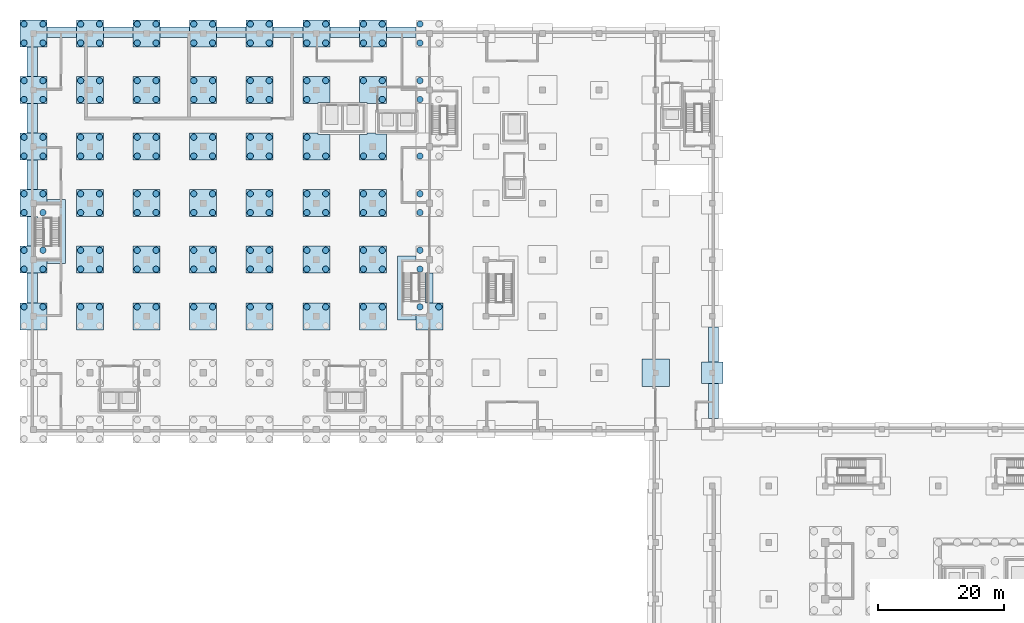
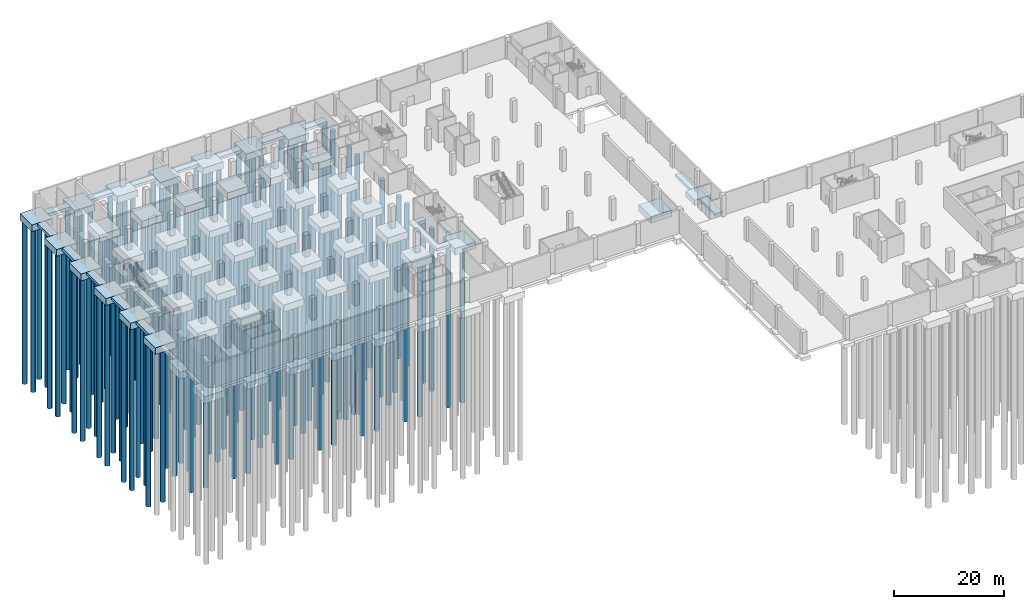
# One storey, part 2 of 17: 160 piles, 62 footings.
"""IFC4 building model written with IfcOpenShell, lengths in metres."""

from ifc_helpers import new_model, si_unit, direction, frame, origin, origin_2d, place, context, subcontext, project, spatial, polyline, rectangle, circle, outline, extrude, material, material_profile, profile_set, type_object, element, save


model = new_model("IFC4")

# Units and contexts
model_context = context("Model", 3, precision=1e-05, world=origin(), true_north=direction((0.0, 1.0)))
body_context = subcontext(model_context, "Body", "Model", "MODEL_VIEW")
ifc_project = project(units=[si_unit("LENGTHUNIT", "METRE"), si_unit("AREAUNIT", "SQUARE_METRE"), si_unit("VOLUMEUNIT", "CUBIC_METRE"), si_unit("PLANEANGLEUNIT", "RADIAN"), si_unit("MASSUNIT", "GRAM", prefix="KILO")], contexts=[model_context])

# Site, building, storey
site_placement = place(None, origin())
site = spatial("IfcSite", under=ifc_project, at=site_placement, CompositionType="ELEMENT")
building_placement = place(site_placement, origin())
building = spatial("IfcBuilding", under=site, at=building_placement, Name="Guidao Yard Department Store", CompositionType="ELEMENT")
storey_placement = place(building_placement, frame((0.0, 0.0, -9.89990234375)))
storey = spatial("IfcBuildingStorey", under=building, at=storey_placement, Name="B2", CompositionType="ELEMENT", Elevation=-9.89990234375)

# Piles
ifc_material_1 = material(Name="Concrete C40", Category="concrete")
ifc_material_profile = material_profile(ifc_material_1, circle(Radius=0.5, at=origin_2d()), Name="Bored pile D1000")
ifc_profile_set = profile_set([ifc_material_profile], Name="Concrete C40")
pile_type = type_object("IfcPileType", Name="Bored pile D1000", PredefinedType="BORED", material=ifc_profile_set)
for number, where, z_axis, x_axis, name in (
    (1, (-1.5, 64.5, -2.0), (0.0, 0.0, -1.0), (1.0, 0.0, 0.0), "Bored pile 1/H-3"),
    (2, (1.5, 64.5, -2.0), (0.0, 0.0, -1.0), (1.0, 0.0, 0.0), "Bored pile 1/H-4"),
    (3, (7.5, 64.5, -2.0), (0.0, 0.0, -1.0), (1.0, 0.0, 0.0), "Bored pile 2/H-3"),
    (4, (10.5, 64.5, -2.0), (0.0, 0.0, -1.0), (1.0, 0.0, 0.0), "Bored pile 2/H-4"),
    (5, (16.5, 64.5, -2.0), (0.0, 0.0, -1.0), (1.0, 0.0, 0.0), "Bored pile 3/H-3"),
    (6, (19.5, 64.5, -2.0), (0.0, 0.0, -1.0), (1.0, 0.0, 0.0), "Bored pile 3/H-4"),
    (7, (25.5, 64.5, -2.0), (0.0, 0.0, -1.0), (1.0, 0.0, 0.0), "Bored pile 4/H-3"),
    (8, (28.5, 64.5, -2.0), (0.0, 0.0, -1.0), (1.0, 0.0, 0.0), "Bored pile 4/H-4"),
    (9, (34.5, 64.5, -2.0), (0.0, 0.0, -1.0), (1.0, 0.0, 0.0), "Bored pile 5/H-3"),
    (10, (37.5, 64.5, -2.0), (0.0, 0.0, -1.0), (1.0, 0.0, 0.0), "Bored pile 5/H-4"),
    (11, (43.5, 64.5, -2.0), (0.0, 0.0, -1.0), (1.0, 0.0, 0.0), "Bored pile 6/H-3"),
    (12, (46.5, 64.5, -2.0), (0.0, 0.0, -1.0), (1.0, 0.0, 0.0), "Bored pile 6/H-4"),
    (13, (52.5, 64.5, -2.0), (0.0, 0.0, -1.0), (1.0, 0.0, 0.0), "Bored pile 7/H-3"),
    (14, (55.5, 64.5, -2.0), (0.0, 0.0, -1.0), (1.0, 0.0, 0.0), "Bored pile 7/H-4"),
    (15, (61.5, 64.5, -2.0), (0.0, 0.0, -1.0), (1.0, 0.0, 0.0), "Bored pile 8/H-3"),
    (16, (64.5, 64.5, -2.0), (0.0, 0.0, -1.0), (1.0, 0.0, 0.0), "Bored pile 8/H-4"),
    (17, (-1.5, 70.5, -2.0), (0.0, 0.0, -1.0), (1.0, 0.0, 0.0), "Bored pile 1/J-1"),
    (18, (1.5, 70.5, -2.0), (0.0, 0.0, -1.0), (1.0, 0.0, 0.0), "Bored pile 1/J-2"),
    (19, (-1.5, 73.5, -2.0), (0.0, 0.0, -1.0), (1.0, 0.0, 0.0), "Bored pile 1/J-3"),
    (20, (1.5, 73.5, -2.0), (0.0, 0.0, -1.0), (1.0, 0.0, 0.0), "Bored pile 1/J-4"),
    (21, (7.5, 70.5, -2.0), (0.0, 0.0, -1.0), (1.0, 0.0, 0.0), "Bored pile 2/J-1"),
    (22, (10.5, 70.5, -2.0), (0.0, 0.0, -1.0), (1.0, 0.0, 0.0), "Bored pile 2/J-2"),
    (23, (7.5, 73.5, -2.0), (0.0, 0.0, -1.0), (1.0, 0.0, 0.0), "Bored pile 2/J-3"),
    (24, (10.5, 73.5, -2.0), (0.0, 0.0, -1.0), (1.0, 0.0, 0.0), "Bored pile 2/J-4"),
    (25, (16.5, 70.5, -2.0), (0.0, 0.0, -1.0), (1.0, 0.0, 0.0), "Bored pile 3/J-1"),
    (26, (19.5, 70.5, -2.0), (0.0, 0.0, -1.0), (1.0, 0.0, 0.0), "Bored pile 3/J-2"),
    (27, (16.5, 73.5, -2.0), (0.0, 0.0, -1.0), (1.0, 0.0, 0.0), "Bored pile 3/J-3"),
    (28, (19.5, 73.5, -2.0), (0.0, 0.0, -1.0), (1.0, 0.0, 0.0), "Bored pile 3/J-4"),
    (29, (25.5, 70.5, -2.0), (0.0, 0.0, -1.0), (1.0, 0.0, 0.0), "Bored pile 4/J-1"),
    (30, (28.5, 70.5, -2.0), (0.0, 0.0, -1.0), (1.0, 0.0, 0.0), "Bored pile 4/J-2"),
    (31, (25.5, 73.5, -2.0), (0.0, 0.0, -1.0), (1.0, 0.0, 0.0), "Bored pile 4/J-3"),
    (32, (28.5, 73.5, -2.0), (0.0, 0.0, -1.0), (1.0, 0.0, 0.0), "Bored pile 4/J-4"),
    (33, (34.5, 70.5, -2.0), (0.0, 0.0, -1.0), (1.0, 0.0, 0.0), "Bored pile 5/J-1"),
    (34, (37.5, 70.5, -2.0), (0.0, 0.0, -1.0), (1.0, 0.0, 0.0), "Bored pile 5/J-2"),
    (35, (34.5, 73.5, -2.0), (0.0, 0.0, -1.0), (1.0, 0.0, 0.0), "Bored pile 5/J-3"),
    (36, (37.5, 73.5, -2.0), (0.0, 0.0, -1.0), (1.0, 0.0, 0.0), "Bored pile 5/J-4"),
    (37, (43.5, 70.5, -2.0), (0.0, 0.0, -1.0), (1.0, 0.0, 0.0), "Bored pile 6/J-1"),
    (38, (46.5, 70.5, -2.0), (0.0, 0.0, -1.0), (1.0, 0.0, 0.0), "Bored pile 6/J-2"),
    (39, (43.5, 73.5, -2.0), (0.0, 0.0, -1.0), (1.0, 0.0, 0.0), "Bored pile 6/J-3"),
    (40, (46.5, 73.5, -2.0), (0.0, 0.0, -1.0), (1.0, 0.0, 0.0), "Bored pile 6/J-4"),
    (41, (52.5, 70.5, -2.0), (0.0, 0.0, -1.0), (1.0, 0.0, 0.0), "Bored pile 7/J-1"),
    (42, (55.5, 70.5, -2.0), (0.0, 0.0, -1.0), (1.0, 0.0, 0.0), "Bored pile 7/J-2"),
    (43, (52.5, 73.5, -2.0), (0.0, 0.0, -1.0), (1.0, 0.0, 0.0), "Bored pile 7/J-3"),
    (44, (55.5, 73.5, -2.0), (0.0, 0.0, -1.0), (1.0, 0.0, 0.0), "Bored pile 7/J-4"),
    (45, (61.5, 70.5, -2.0), (0.0, 0.0, -1.0), (1.0, 0.0, 0.0), "Bored pile 8/J-1"),
    (46, (61.5, 73.5, -2.0), (0.0, 0.0, -1.0), (1.0, 0.0, 0.0), "Bored pile 8/J-3"),
    (47, (-1.5, 79.5, -2.0), (0.0, 0.0, -1.0), (1.0, 0.0, 0.0), "Bored pile 1/K-1"),
    (48, (1.5, 79.5, -2.0), (0.0, 0.0, -1.0), (1.0, 0.0, 0.0), "Bored pile 1/K-2"),
    (49, (-1.5, 82.5, -2.0), (0.0, 0.0, -1.0), (1.0, 0.0, 0.0), "Bored pile 1/K-3"),
    (50, (1.5, 82.5, -2.0), (0.0, 0.0, -1.0), (1.0, 0.0, 0.0), "Bored pile 1/K-4"),
    (51, (7.5, 79.5, -2.0), (0.0, 0.0, -1.0), (1.0, 0.0, 0.0), "Bored pile 2/K-1"),
    (52, (10.5, 79.5, -2.0), (0.0, 0.0, -1.0), (1.0, 0.0, 0.0), "Bored pile 2/K-2"),
    (53, (7.5, 82.5, -2.0), (0.0, 0.0, -1.0), (1.0, 0.0, 0.0), "Bored pile 2/K-3"),
    (54, (10.5, 82.5, -2.0), (0.0, 0.0, -1.0), (1.0, 0.0, 0.0), "Bored pile 2/K-4"),
    (55, (16.5, 79.5, -2.0), (0.0, 0.0, -1.0), (1.0, 0.0, 0.0), "Bored pile 3/K-1"),
    (56, (19.5, 79.5, -2.0), (0.0, 0.0, -1.0), (1.0, 0.0, 0.0), "Bored pile 3/K-2"),
    (57, (16.5, 82.5, -2.0), (0.0, 0.0, -1.0), (1.0, 0.0, 0.0), "Bored pile 3/K-3"),
    (58, (19.5, 82.5, -2.0), (0.0, 0.0, -1.0), (1.0, 0.0, 0.0), "Bored pile 3/K-4"),
    (59, (25.5, 79.5, -2.0), (0.0, 0.0, -1.0), (1.0, 0.0, 0.0), "Bored pile 4/K-1"),
    (60, (28.5, 79.5, -2.0), (0.0, 0.0, -1.0), (1.0, 0.0, 0.0), "Bored pile 4/K-2"),
    (61, (25.5, 82.5, -2.0), (0.0, 0.0, -1.0), (1.0, 0.0, 0.0), "Bored pile 4/K-3"),
    (62, (28.5, 82.5, -2.0), (0.0, 0.0, -1.0), (1.0, 0.0, 0.0), "Bored pile 4/K-4"),
    (63, (34.5, 79.5, -2.0), (0.0, 0.0, -1.0), (1.0, 0.0, 0.0), "Bored pile 5/K-1"),
    (64, (37.5, 79.5, -2.0), (0.0, 0.0, -1.0), (1.0, 0.0, 0.0), "Bored pile 5/K-2"),
    (65, (34.5, 82.5, -2.0), (0.0, 0.0, -1.0), (1.0, 0.0, 0.0), "Bored pile 5/K-3"),
    (66, (37.5, 82.5, -2.0), (0.0, 0.0, -1.0), (1.0, 0.0, 0.0), "Bored pile 5/K-4"),
    (67, (43.5, 79.5, -2.0), (0.0, 0.0, -1.0), (1.0, 0.0, 0.0), "Bored pile 6/K-1"),
    (68, (46.5, 79.5, -2.0), (0.0, 0.0, -1.0), (1.0, 0.0, 0.0), "Bored pile 6/K-2"),
    (69, (43.5, 82.5, -2.0), (0.0, 0.0, -1.0), (1.0, 0.0, 0.0), "Bored pile 6/K-3"),
    (70, (46.5, 82.5, -2.0), (0.0, 0.0, -1.0), (1.0, 0.0, 0.0), "Bored pile 6/K-4"),
    (71, (52.5, 79.5, -2.0), (0.0, 0.0, -1.0), (1.0, 0.0, 0.0), "Bored pile 7/K-1"),
    (72, (55.5, 79.5, -2.0), (0.0, 0.0, -1.0), (1.0, 0.0, 0.0), "Bored pile 7/K-2"),
    (73, (52.5, 82.5, -2.0), (0.0, 0.0, -1.0), (1.0, 0.0, 0.0), "Bored pile 7/K-3"),
    (74, (55.5, 82.5, -2.0), (0.0, 0.0, -1.0), (1.0, 0.0, 0.0), "Bored pile 7/K-4"),
    (75, (61.5, 79.5, -2.0), (0.0, 0.0, -1.0), (1.0, 0.0, 0.0), "Bored pile 8/K-1"),
    (76, (61.5, 82.5, -2.0), (0.0, 0.0, -1.0), (1.0, 0.0, 0.0), "Bored pile 8/K-3"),
    (77, (-1.5, 88.5, -2.0), (0.0, 0.0, -1.0), (1.0, 0.0, 0.0), "Bored pile 1/L-1"),
    (78, (1.5, 88.5, -2.0), (0.0, 0.0, -1.0), (1.0, 0.0, 0.0), "Bored pile 1/L-2"),
    (79, (-1.5, 91.5, -2.0), (0.0, 0.0, -1.0), (1.0, 0.0, 0.0), "Bored pile 1/L-3"),
    (80, (1.5, 91.5, -2.0), (0.0, 0.0, -1.0), (1.0, 0.0, 0.0), "Bored pile 1/L-4"),
    (81, (7.5, 88.5, -2.0), (0.0, 0.0, -1.0), (1.0, 0.0, 0.0), "Bored pile 2/L-1"),
    (82, (10.5, 88.5, -2.0), (0.0, 0.0, -1.0), (1.0, 0.0, 0.0), "Bored pile 2/L-2"),
    (83, (7.5, 91.5, -2.0), (0.0, 0.0, -1.0), (1.0, 0.0, 0.0), "Bored pile 2/L-3"),
    (84, (10.5, 91.5, -2.0), (0.0, 0.0, -1.0), (1.0, 0.0, 0.0), "Bored pile 2/L-4"),
    (85, (16.5, 88.5, -2.0), (0.0, 0.0, -1.0), (1.0, 0.0, 0.0), "Bored pile 3/L-1"),
    (86, (19.5, 88.5, -2.0), (0.0, 0.0, -1.0), (1.0, 0.0, 0.0), "Bored pile 3/L-2"),
    (87, (16.5, 91.5, -2.0), (0.0, 0.0, -1.0), (1.0, 0.0, 0.0), "Bored pile 3/L-3"),
    (88, (19.5, 91.5, -2.0), (0.0, 0.0, -1.0), (1.0, 0.0, 0.0), "Bored pile 3/L-4"),
    (89, (25.5, 88.5, -2.0), (0.0, 0.0, -1.0), (1.0, 0.0, 0.0), "Bored pile 4/L-1"),
    (90, (28.5, 88.5, -2.0), (0.0, 0.0, -1.0), (1.0, 0.0, 0.0), "Bored pile 4/L-2"),
    (91, (25.5, 91.5, -2.0), (0.0, 0.0, -1.0), (1.0, 0.0, 0.0), "Bored pile 4/L-3"),
    (92, (28.5, 91.5, -2.0), (0.0, 0.0, -1.0), (1.0, 0.0, 0.0), "Bored pile 4/L-4"),
    (93, (34.5, 88.5, -2.0), (0.0, 0.0, -1.0), (1.0, 0.0, 0.0), "Bored pile 5/L-1"),
    (94, (37.5, 88.5, -2.0), (0.0, 0.0, -1.0), (1.0, 0.0, 0.0), "Bored pile 5/L-2"),
    (95, (34.5, 91.5, -2.0), (0.0, 0.0, -1.0), (1.0, 0.0, 0.0), "Bored pile 5/L-3"),
    (96, (37.5, 91.5, -2.0), (0.0, 0.0, -1.0), (1.0, 0.0, 0.0), "Bored pile 5/L-4"),
    (97, (43.5, 88.5, -2.0), (0.0, 0.0, -1.0), (1.0, 0.0, 0.0), "Bored pile 6/L-1"),
    (98, (46.5, 88.5, -2.0), (0.0, 0.0, -1.0), (1.0, 0.0, 0.0), "Bored pile 6/L-2"),
    (99, (43.5, 91.5, -2.0), (0.0, 0.0, -1.0), (1.0, 0.0, 0.0), "Bored pile 6/L-3"),
):
    element("IfcPile", number, at=place(storey_placement, frame(where, z_axis=z_axis, x_axis=x_axis)), inside=storey, type_object=pile_type, Name=name, PredefinedType="BORED", context=body_context, shape_type="SweptSolid", body=[
        extrude(circle(Radius=0.5, at=origin_2d()), origin(), (0.0, 0.0, 1.0), 36.0),
    ])
for number, where, z_axis, x_axis, name in (
    (100, (52.5, 88.5, -2.0), (0.0, 0.0, -1.0), (1.0, 0.0, 0.0), "Bored pile 7/L-1"),
    (101, (55.5, 88.5, -2.0), (0.0, 0.0, -1.0), (1.0, 0.0, 0.0), "Bored pile 7/L-2"),
):
    element("IfcPile", number, at=place(storey_placement, frame(where, z_axis=z_axis, x_axis=x_axis)), inside=storey, type_object=pile_type, Name=name, PredefinedType="BORED", context=body_context, shape_type="SweptSolid", body=[
        extrude(circle(Radius=0.5, at=origin_2d()), origin(), (0.0, 0.0, 1.0), 50.0),
    ])
for number, where, z_axis, x_axis, name in (
    (102, (61.5, 88.5, -2.0), (0.0, 0.0, -1.0), (1.0, 0.0, 0.0), "Bored pile 8/L-1"),
    (103, (-1.5, 97.5, -2.0), (0.0, 0.0, -1.0), (1.0, 0.0, 0.0), "Bored pile 1/M-1"),
    (104, (1.5, 97.5, -2.0), (0.0, 0.0, -1.0), (1.0, 0.0, 0.0), "Bored pile 1/M-2"),
    (105, (-1.5, 100.5, -2.0), (0.0, 0.0, -1.0), (1.0, 0.0, 0.0), "Bored pile 1/M-3"),
    (106, (1.5, 100.5, -2.0), (0.0, 0.0, -1.0), (1.0, 0.0, 0.0), "Bored pile 1/M-4"),
    (107, (7.5, 97.5, -2.0), (0.0, 0.0, -1.0), (1.0, 0.0, 0.0), "Bored pile 2/M-1"),
    (108, (10.5, 97.5, -2.0), (0.0, 0.0, -1.0), (1.0, 0.0, 0.0), "Bored pile 2/M-2"),
    (109, (7.5, 100.5, -2.0), (0.0, 0.0, -1.0), (1.0, 0.0, 0.0), "Bored pile 2/M-3"),
    (110, (10.5, 100.5, -2.0), (0.0, 0.0, -1.0), (1.0, 0.0, 0.0), "Bored pile 2/M-4"),
    (111, (16.5, 97.5, -2.0), (0.0, 0.0, -1.0), (1.0, 0.0, 0.0), "Bored pile 3/M-1"),
    (112, (19.5, 97.5, -2.0), (0.0, 0.0, -1.0), (1.0, 0.0, 0.0), "Bored pile 3/M-2"),
    (113, (16.5, 100.5, -2.0), (0.0, 0.0, -1.0), (1.0, 0.0, 0.0), "Bored pile 3/M-3"),
    (114, (19.5, 100.5, -2.0), (0.0, 0.0, -1.0), (1.0, 0.0, 0.0), "Bored pile 3/M-4"),
    (115, (25.5, 97.5, -2.0), (0.0, 0.0, -1.0), (1.0, 0.0, 0.0), "Bored pile 4/M-1"),
    (116, (28.5, 97.5, -2.0), (0.0, 0.0, -1.0), (1.0, 0.0, 0.0), "Bored pile 4/M-2"),
    (117, (25.5, 100.5, -2.0), (0.0, 0.0, -1.0), (1.0, 0.0, 0.0), "Bored pile 4/M-3"),
    (118, (28.5, 100.5, -2.0), (0.0, 0.0, -1.0), (1.0, 0.0, 0.0), "Bored pile 4/M-4"),
    (119, (34.5, 97.5, -2.0), (0.0, 0.0, -1.0), (1.0, 0.0, 0.0), "Bored pile 5/M-1"),
    (120, (37.5, 97.5, -2.0), (0.0, 0.0, -1.0), (1.0, 0.0, 0.0), "Bored pile 5/M-2"),
    (121, (34.5, 100.5, -2.0), (0.0, 0.0, -1.0), (1.0, 0.0, 0.0), "Bored pile 5/M-3"),
    (122, (37.5, 100.5, -2.0), (0.0, 0.0, -1.0), (1.0, 0.0, 0.0), "Bored pile 5/M-4"),
    (123, (43.5, 97.5, -2.0), (0.0, 0.0, -1.0), (1.0, 0.0, 0.0), "Bored pile 6/M-1"),
    (124, (43.5, 100.5, -2.0), (0.0, 0.0, -1.0), (1.0, 0.0, 0.0), "Bored pile 6/M-3"),
    (125, (46.5, 100.5, -2.0), (0.0, 0.0, -1.0), (1.0, 0.0, 0.0), "Bored pile 6/M-4"),
    (126, (55.5, 97.5, -2.0), (0.0, 0.0, -1.0), (1.0, 0.0, 0.0), "Bored pile 7/M-2"),
    (127, (52.5, 100.5, -2.0), (0.0, 0.0, -1.0), (1.0, 0.0, 0.0), "Bored pile 7/M-3"),
    (128, (55.5, 100.5, -2.0), (0.0, 0.0, -1.0), (1.0, 0.0, 0.0), "Bored pile 7/M-4"),
    (129, (61.5, 97.5, -2.0), (0.0, 0.0, -1.0), (1.0, 0.0, 0.0), "Bored pile 8/M-1"),
    (130, (61.5, 100.5, -2.0), (0.0, 0.0, -1.0), (1.0, 0.0, 0.0), "Bored pile 8/M-3"),
    (131, (-1.5, 106.5, -2.0), (0.0, 0.0, -1.0), (1.0, 0.0, 0.0), "Bored pile 1/N-1"),
    (132, (1.5, 106.5, -2.0), (0.0, 0.0, -1.0), (1.0, 0.0, 0.0), "Bored pile 1/N-2"),
    (133, (-1.5, 109.5, -2.0), (0.0, 0.0, -1.0), (1.0, 0.0, 0.0), "Bored pile 1/N-3"),
    (134, (1.5, 109.5, -2.0), (0.0, 0.0, -1.0), (1.0, 0.0, 0.0), "Bored pile 1/N-4"),
    (135, (7.5, 106.5, -2.0), (0.0, 0.0, -1.0), (1.0, 0.0, 0.0), "Bored pile 2/N-1"),
    (136, (10.5, 106.5, -2.0), (0.0, 0.0, -1.0), (1.0, 0.0, 0.0), "Bored pile 2/N-2"),
    (137, (7.5, 109.5, -2.0), (0.0, 0.0, -1.0), (1.0, 0.0, 0.0), "Bored pile 2/N-3"),
    (138, (10.5, 109.5, -2.0), (0.0, 0.0, -1.0), (1.0, 0.0, 0.0), "Bored pile 2/N-4"),
    (139, (16.5, 106.5, -2.0), (0.0, 0.0, -1.0), (1.0, 0.0, 0.0), "Bored pile 3/N-1"),
    (140, (19.5, 106.5, -2.0), (0.0, 0.0, -1.0), (1.0, 0.0, 0.0), "Bored pile 3/N-2"),
    (141, (16.5, 109.5, -2.0), (0.0, 0.0, -1.0), (1.0, 0.0, 0.0), "Bored pile 3/N-3"),
    (142, (19.5, 109.5, -2.0), (0.0, 0.0, -1.0), (1.0, 0.0, 0.0), "Bored pile 3/N-4"),
    (143, (25.5, 106.5, -2.0), (0.0, 0.0, -1.0), (1.0, 0.0, 0.0), "Bored pile 4/N-1"),
    (144, (28.5, 106.5, -2.0), (0.0, 0.0, -1.0), (1.0, 0.0, 0.0), "Bored pile 4/N-2"),
    (145, (25.5, 109.5, -2.0), (0.0, 0.0, -1.0), (1.0, 0.0, 0.0), "Bored pile 4/N-3"),
    (146, (28.5, 109.5, -2.0), (0.0, 0.0, -1.0), (1.0, 0.0, 0.0), "Bored pile 4/N-4"),
    (147, (34.5, 106.5, -2.0), (0.0, 0.0, -1.0), (1.0, 0.0, 0.0), "Bored pile 5/N-1"),
    (148, (37.5, 106.5, -2.0), (0.0, 0.0, -1.0), (1.0, 0.0, 0.0), "Bored pile 5/N-2"),
    (149, (34.5, 109.5, -2.0), (0.0, 0.0, -1.0), (1.0, 0.0, 0.0), "Bored pile 5/N-3"),
    (150, (37.5, 109.5, -2.0), (0.0, 0.0, -1.0), (1.0, 0.0, 0.0), "Bored pile 5/N-4"),
    (151, (43.5, 106.5, -2.0), (0.0, 0.0, -1.0), (1.0, 0.0, 0.0), "Bored pile 6/N-1"),
    (152, (46.5, 106.5, -2.0), (0.0, 0.0, -1.0), (1.0, 0.0, 0.0), "Bored pile 6/N-2"),
    (153, (43.5, 109.5, -2.0), (0.0, 0.0, -1.0), (1.0, 0.0, 0.0), "Bored pile 6/N-3"),
    (154, (46.5, 109.5, -2.0), (0.0, 0.0, -1.0), (1.0, 0.0, 0.0), "Bored pile 6/N-4"),
    (155, (52.5, 106.5, -2.0), (0.0, 0.0, -1.0), (1.0, 0.0, 0.0), "Bored pile 7/N-1"),
    (156, (55.5, 106.5, -2.0), (0.0, 0.0, -1.0), (1.0, 0.0, 0.0), "Bored pile 7/N-2"),
    (157, (52.5, 109.5, -2.0), (0.0, 0.0, -1.0), (1.0, 0.0, 0.0), "Bored pile 7/N-3"),
    (158, (55.5, 109.5, -2.0), (0.0, 0.0, -1.0), (1.0, 0.0, 0.0), "Bored pile 7/N-4"),
    (159, (61.5, 106.5, -2.0), (0.0, 0.0, -1.0), (1.0, 0.0, 0.0), "Bored pile 8/N-1"),
    (160, (61.5, 109.5, -2.0), (0.0, 0.0, -1.0), (1.0, 0.0, 0.0), "Bored pile 8/N-3"),
):
    element("IfcPile", number, at=place(storey_placement, frame(where, z_axis=z_axis, x_axis=x_axis)), inside=storey, type_object=pile_type, Name=name, PredefinedType="BORED", context=body_context, shape_type="SweptSolid", body=[
        extrude(circle(Radius=0.5, at=origin_2d()), origin(), (0.0, 0.0, 1.0), 36.0),
    ])

# Footings
ifc_material_2 = material(Name="Concrete C40", Category="concrete")
footing_type_1 = type_object("IfcFootingType", Name="Pad footing 3400x3400x1200 C40", PredefinedType="PAD_FOOTING", material=ifc_material_2)
footing_1_placement = place(storey_placement, frame((108.0, 54.0, -1.7001953125), z_axis=(0.0, 0.0, 1.0), x_axis=(1.0, 0.0, 0.0)))
element("IfcFooting", 161, at=footing_1_placement, inside=storey, type_object=footing_type_1, Name="Pad footing 13/G", PredefinedType="PAD_FOOTING", context=body_context, shape_type="SweptSolid", body=[
    extrude(rectangle(XDim=3.39990234375, YDim=3.39990234375, at=origin_2d()), origin(), (0.0, 0.0, 1.0), 1.199951171875),
])
ifc_material_3 = material(Name="Concrete C40", Category="concrete")
footing_type_2 = type_object("IfcFootingType", Name="Pad footing 4400x4400x1500 C40", PredefinedType="PAD_FOOTING", material=ifc_material_3)
footing_2_placement = place(storey_placement, frame((99.0, 54.0, -2.0), z_axis=(0.0, 0.0, 1.0), x_axis=(1.0, 0.0, 0.0)))
element("IfcFooting", 162, at=footing_2_placement, inside=storey, type_object=footing_type_2, Name="Pad footing 12/G", PredefinedType="PAD_FOOTING", context=body_context, shape_type="SweptSolid", body=[
    extrude(rectangle(XDim=4.39990234375, YDim=4.39990234375, at=origin_2d()), origin(), (0.0, 0.0, 1.0), 1.5),
])
ifc_material_4 = material(Name="Concrete C40", Category="concrete")
footing_type_3 = type_object("IfcFootingType", Name="Pile cap 4300x4300x1500 C40", PredefinedType="PILE_CAP", material=ifc_material_4)
for number, where, z_axis, x_axis, name in (
    (163, (0.0, 63.0, -2.0), (0.0, 0.0, 1.0), (1.0, 0.0, 0.0), "Pile cap 1/H"),
    (164, (9.0, 63.0, -2.0), (0.0, 0.0, 1.0), (1.0, 0.0, 0.0), "Pile cap 2/H"),
    (165, (18.0, 63.0, -2.0), (0.0, 0.0, 1.0), (1.0, 0.0, 0.0), "Pile cap 3/H"),
    (166, (27.0, 63.0, -2.0), (0.0, 0.0, 1.0), (1.0, 0.0, 0.0), "Pile cap 4/H"),
    (167, (36.0, 63.0, -2.0), (0.0, 0.0, 1.0), (1.0, 0.0, 0.0), "Pile cap 5/H"),
    (168, (45.0, 63.0, -2.0), (0.0, 0.0, 1.0), (1.0, 0.0, 0.0), "Pile cap 6/H"),
    (169, (54.0, 63.0, -2.0), (0.0, 0.0, 1.0), (1.0, 0.0, 0.0), "Pile cap 7/H"),
    (170, (63.0, 63.0, -2.0), (0.0, 0.0, 1.0), (1.0, 0.0, 0.0), "Pile cap 8/H"),
    (171, (0.0, 72.0, -2.0), (0.0, 0.0, 1.0), (1.0, 0.0, 0.0), "Pile cap 1/J"),
    (172, (9.0, 72.0, -2.0), (0.0, 0.0, 1.0), (1.0, 0.0, 0.0), "Pile cap 2/J"),
    (173, (18.0, 72.0, -2.0), (0.0, 0.0, 1.0), (1.0, 0.0, 0.0), "Pile cap 3/J"),
    (174, (27.0, 72.0, -2.0), (0.0, 0.0, 1.0), (1.0, 0.0, 0.0), "Pile cap 4/J"),
    (175, (36.0, 72.0, -2.0), (0.0, 0.0, 1.0), (1.0, 0.0, 0.0), "Pile cap 5/J"),
    (176, (45.0, 72.0, -2.0), (0.0, 0.0, 1.0), (1.0, 0.0, 0.0), "Pile cap 6/J"),
    (177, (54.0, 72.0, -2.0), (0.0, 0.0, 1.0), (1.0, 0.0, 0.0), "Pile cap 7/J"),
    (178, (0.0, 81.0, -2.0), (0.0, 0.0, 1.0), (1.0, 0.0, 0.0), "Pile cap 1/K"),
    (179, (9.0, 81.0, -2.0), (0.0, 0.0, 1.0), (1.0, 0.0, 0.0), "Pile cap 2/K"),
    (180, (18.0, 81.0, -2.0), (0.0, 0.0, 1.0), (1.0, 0.0, 0.0), "Pile cap 3/K"),
    (181, (27.0, 81.0, -2.0), (0.0, 0.0, 1.0), (1.0, 0.0, 0.0), "Pile cap 4/K"),
    (182, (36.0, 81.0, -2.0), (0.0, 0.0, 1.0), (1.0, 0.0, 0.0), "Pile cap 5/K"),
    (183, (45.0, 81.0, -2.0), (0.0, 0.0, 1.0), (1.0, 0.0, 0.0), "Pile cap 6/K"),
    (184, (54.0, 81.0, -2.0), (0.0, 0.0, 1.0), (1.0, 0.0, 0.0), "Pile cap 7/K"),
    (185, (0.0, 90.0, -2.0), (0.0, 0.0, 1.0), (1.0, 0.0, 0.0), "Pile cap 1/L"),
    (186, (9.0, 90.0, -2.0), (0.0, 0.0, 1.0), (1.0, 0.0, 0.0), "Pile cap 2/L"),
    (187, (18.0, 90.0, -2.0), (0.0, 0.0, 1.0), (1.0, 0.0, 0.0), "Pile cap 3/L"),
    (188, (27.0, 90.0, -2.0), (0.0, 0.0, 1.0), (1.0, 0.0, 0.0), "Pile cap 4/L"),
    (189, (36.0, 90.0, -2.0), (0.0, 0.0, 1.0), (1.0, 0.0, 0.0), "Pile cap 5/L"),
):
    element("IfcFooting", number, at=place(storey_placement, frame(where, z_axis=z_axis, x_axis=x_axis)), inside=storey, type_object=footing_type_3, Name=name, PredefinedType="PILE_CAP", context=body_context, shape_type="SweptSolid", body=[
        extrude(rectangle(XDim=4.300048828125, YDim=4.300048828125, at=origin_2d()), origin(), (0.0, 0.0, 1.0), 1.5),
    ])
footing_3_placement = place(storey_placement, frame((0.0, 0.0, -2.0)))
element("IfcFooting", 190, at=footing_3_placement, inside=storey, type_object=footing_type_3, Name="Pile cap 6/L", PredefinedType="PILE_CAP", context=body_context, shape_type="SweptSolid", body=[
    extrude(outline(polyline([(47.14990234375, 87.85009765625), (47.14990234375, 91.949951171875), (45.300048828125, 91.949951171875), (45.300048828125, 92.14990234375), (42.85009765625, 92.14990234375), (42.85009765625, 87.85009765625), (47.14990234375, 87.85009765625)])), origin(), (0.0, 0.0, 1.0), 1.5),
])
footing_4_placement = place(storey_placement, frame((0.0, 0.0, -2.0)))
element("IfcFooting", 191, at=footing_4_placement, inside=storey, type_object=footing_type_3, Name="Pile cap 7/L", PredefinedType="PILE_CAP", context=body_context, shape_type="SweptSolid", body=[
    extrude(outline(polyline([(56.14990234375, 87.85009765625), (56.14990234375, 92.0), (54.449951171875, 92.0), (54.449951171875, 92.14990234375), (53.050048828125, 92.14990234375), (53.050048828125, 91.949951171875), (51.85009765625, 91.949951171875), (51.85009765625, 87.85009765625), (56.14990234375, 87.85009765625)])), origin(), (0.0, 0.0, 1.0), 1.5),
])
for number, where, z_axis, x_axis, name in (
    (192, (0.0, 99.0, -2.0), (0.0, 0.0, 1.0), (1.0, 0.0, 0.0), "Pile cap 1/M"),
    (193, (9.0, 99.0, -2.0), (0.0, 0.0, 1.0), (1.0, 0.0, 0.0), "Pile cap 2/M"),
    (194, (18.0, 99.0, -2.0), (0.0, 0.0, 1.0), (1.0, 0.0, 0.0), "Pile cap 3/M"),
    (195, (27.0, 99.0, -2.0), (0.0, 0.0, 1.0), (1.0, 0.0, 0.0), "Pile cap 4/M"),
    (196, (36.0, 99.0, -2.0), (0.0, 0.0, 1.0), (1.0, 0.0, 0.0), "Pile cap 5/M"),
):
    element("IfcFooting", number, at=place(storey_placement, frame(where, z_axis=z_axis, x_axis=x_axis)), inside=storey, type_object=footing_type_3, Name=name, PredefinedType="PILE_CAP", context=body_context, shape_type="SweptSolid", body=[
        extrude(rectangle(XDim=4.300048828125, YDim=4.300048828125, at=origin_2d()), origin(), (0.0, 0.0, 1.0), 1.5),
    ])
footing_5_placement = place(storey_placement, frame((0.0, 0.0, -2.0)))
element("IfcFooting", 197, at=footing_5_placement, inside=storey, type_object=footing_type_3, Name="Pile cap 6/M", PredefinedType="PILE_CAP", context=body_context, shape_type="SweptSolid", body=[
    extrude(outline(polyline([(42.85009765625, 96.85009765625), (45.300048828125, 96.85009765625), (45.300048828125, 97.050048828125), (47.14990234375, 97.050048828125), (47.14990234375, 101.14990234375), (42.85009765625, 101.14990234375), (42.85009765625, 96.85009765625)])), origin(), (0.0, 0.0, 1.0), 1.5),
])
footing_6_placement = place(storey_placement, frame((0.0, 0.0, -2.0)))
element("IfcFooting", 198, at=footing_6_placement, inside=storey, type_object=footing_type_3, Name="Pile cap 7/M", PredefinedType="PILE_CAP", context=body_context, shape_type="SweptSolid", body=[
    extrude(outline(polyline([(51.85009765625, 101.14990234375), (51.85009765625, 97.050048828125), (53.050048828125, 97.050048828125), (53.050048828125, 96.85009765625), (56.14990234375, 96.85009765625), (56.14990234375, 101.14990234375), (51.85009765625, 101.14990234375)])), origin(), (0.0, 0.0, 1.0), 1.5),
])
for number, where, z_axis, x_axis, name in (
    (199, (0.0, 108.0, -2.0), (0.0, 0.0, 1.0), (1.0, 0.0, 0.0), "Pile cap 1/N"),
    (200, (9.0, 108.0, -2.0), (0.0, 0.0, 1.0), (1.0, 0.0, 0.0), "Pile cap 2/N"),
    (201, (18.0, 108.0, -2.0), (0.0, 0.0, 1.0), (1.0, 0.0, 0.0), "Pile cap 3/N"),
    (202, (27.0, 108.0, -2.0), (0.0, 0.0, 1.0), (1.0, 0.0, 0.0), "Pile cap 4/N"),
    (203, (36.0, 108.0, -2.0), (0.0, 0.0, 1.0), (1.0, 0.0, 0.0), "Pile cap 5/N"),
    (204, (45.0, 108.0, -2.0), (0.0, 0.0, 1.0), (1.0, 0.0, 0.0), "Pile cap 6/N"),
    (205, (54.0, 108.0, -2.0), (0.0, 0.0, 1.0), (1.0, 0.0, 0.0), "Pile cap 7/N"),
):
    element("IfcFooting", number, at=place(storey_placement, frame(where, z_axis=z_axis, x_axis=x_axis)), inside=storey, type_object=footing_type_3, Name=name, PredefinedType="PILE_CAP", context=body_context, shape_type="SweptSolid", body=[
        extrude(rectangle(XDim=4.300048828125, YDim=4.300048828125, at=origin_2d()), origin(), (0.0, 0.0, 1.0), 1.5),
    ])
ifc_material_5 = material(Name="Concrete C40", Category="concrete")
footing_type_4 = type_object("IfcFootingType", Name="Strip footing 1200x600 C40", PredefinedType="STRIP_FOOTING", material=ifc_material_5)
footing_7_placement = place(storey_placement, frame((0.0, 0.0, -1.10009765625)))
element("IfcFooting", 206, at=footing_7_placement, inside=storey, type_object=footing_type_4, Name="Strip footing SF49", PredefinedType="STRIP_FOOTING", context=body_context, shape_type="SweptSolid", body=[
    extrude(outline(polyline([(60.85009765625, 72.60009765625), (57.89990234375, 72.60009765625), (57.89990234375, 62.39990234375), (60.85009765625, 62.39990234375), (60.85009765625, 63.60009765625), (59.10009765625, 63.60009765625), (59.10009765625, 71.39990234375), (60.85009765625, 71.39990234375), (60.85009765625, 72.60009765625)])), origin(), (0.0, 0.0, 1.0), 0.60009765625),
])
footing_8_placement = place(storey_placement, frame((0.0, 0.0, -1.10009765625)))
element("IfcFooting", 207, at=footing_8_placement, inside=storey, type_object=footing_type_4, Name="Strip footing SF54", PredefinedType="STRIP_FOOTING", context=body_context, shape_type="SweptSolid", body=[
    extrude(outline(polyline([(63.60009765625, 65.14990234375), (63.60009765625, 69.85009765625), (62.39990234375, 69.85009765625), (62.39990234375, 65.14990234375), (63.60009765625, 65.14990234375)])), origin(), (0.0, 0.0, 1.0), 0.60009765625),
])
footing_9_placement = place(storey_placement, frame((0.0, 0.0, -1.10009765625)))
element("IfcFooting", 208, at=footing_9_placement, inside=storey, type_object=footing_type_4, Name="Strip footing SF55", PredefinedType="STRIP_FOOTING", context=body_context, shape_type="SweptSolid", body=[
    extrude(outline(polyline([(3.89990234375, 72.60009765625), (2.14990234375, 72.60009765625), (2.14990234375, 71.39990234375), (5.10009765625, 71.39990234375), (5.10009765625, 81.60009765625), (2.14990234375, 81.60009765625), (2.14990234375, 80.39990234375), (3.89990234375, 80.39990234375), (3.89990234375, 72.60009765625)])), origin(), (0.0, 0.0, 1.0), 0.60009765625),
])
ifc_material_6 = material(Name="Concrete C40", Category="concrete")
footing_type_5 = type_object("IfcFootingType", Name="Strip footing 1600x600 C40", PredefinedType="STRIP_FOOTING", material=ifc_material_6)
footing_10_placement = place(storey_placement, frame((0.0, 0.0, -1.10009765625)))
element("IfcFooting", 209, at=footing_10_placement, inside=storey, type_object=footing_type_5, Name="Strip footing SF45", PredefinedType="STRIP_FOOTING", context=body_context, shape_type="SweptSolid", body=[
    extrude(outline(polyline([(109.0, 46.699951171875), (109.0, 52.300048828125), (107.39990234375, 52.300048828125), (107.39990234375, 46.699951171875), (109.0, 46.699951171875)])), origin(), (0.0, 0.0, 1.0), 0.60009765625),
])
footing_11_placement = place(storey_placement, frame((0.0, 0.0, -1.10009765625)))
element("IfcFooting", 210, at=footing_11_placement, inside=storey, type_object=footing_type_5, Name="Strip footing SF47", PredefinedType="STRIP_FOOTING", context=body_context, shape_type="SweptSolid", body=[
    extrude(outline(polyline([(109.0, 55.699951171875), (109.0, 61.300048828125), (107.39990234375, 61.300048828125), (107.39990234375, 55.699951171875), (109.0, 55.699951171875)])), origin(), (0.0, 0.0, 1.0), 0.60009765625),
])
footing_12_placement = place(storey_placement, frame((0.0, 0.0, -1.10009765625)))
element("IfcFooting", 211, at=footing_12_placement, inside=storey, type_object=footing_type_5, Name="Strip footing SF53", PredefinedType="STRIP_FOOTING", context=body_context, shape_type="SweptSolid", body=[
    extrude(outline(polyline([(0.60009765625, 65.14990234375), (0.60009765625, 69.85009765625), (-1.0, 69.85009765625), (-1.0, 65.14990234375), (0.60009765625, 65.14990234375)])), origin(), (0.0, 0.0, 1.0), 0.60009765625),
])
footing_13_placement = place(storey_placement, frame((0.0, 0.0, -1.10009765625)))
element("IfcFooting", 212, at=footing_13_placement, inside=storey, type_object=footing_type_5, Name="Strip footing SF57", PredefinedType="STRIP_FOOTING", context=body_context, shape_type="SweptSolid", body=[
    extrude(outline(polyline([(0.60009765625, 74.14990234375), (0.60009765625, 78.85009765625), (-1.0, 78.85009765625), (-1.0, 74.14990234375), (0.60009765625, 74.14990234375)])), origin(), (0.0, 0.0, 1.0), 0.60009765625),
])
footing_14_placement = place(storey_placement, frame((0.0, 0.0, -1.10009765625)))
element("IfcFooting", 213, at=footing_14_placement, inside=storey, type_object=footing_type_5, Name="Strip footing SF59", PredefinedType="STRIP_FOOTING", context=body_context, shape_type="SweptSolid", body=[
    extrude(outline(polyline([(0.60009765625, 83.14990234375), (0.60009765625, 87.85009765625), (-1.0, 87.85009765625), (-1.0, 83.14990234375), (0.60009765625, 83.14990234375)])), origin(), (0.0, 0.0, 1.0), 0.60009765625),
])
footing_15_placement = place(storey_placement, frame((0.0, 0.0, -1.10009765625)))
element("IfcFooting", 214, at=footing_15_placement, inside=storey, type_object=footing_type_5, Name="Strip footing SF63", PredefinedType="STRIP_FOOTING", context=body_context, shape_type="SweptSolid", body=[
    extrude(outline(polyline([(0.60009765625, 92.14990234375), (0.60009765625, 96.85009765625), (-1.0, 96.85009765625), (-1.0, 92.14990234375), (0.60009765625, 92.14990234375)])), origin(), (0.0, 0.0, 1.0), 0.60009765625),
])
footing_16_placement = place(storey_placement, frame((0.0, 0.0, -1.10009765625)))
element("IfcFooting", 215, at=footing_16_placement, inside=storey, type_object=footing_type_5, Name="Strip footing SF66", PredefinedType="STRIP_FOOTING", context=body_context, shape_type="SweptSolid", body=[
    extrude(outline(polyline([(0.60009765625, 101.14990234375), (0.60009765625, 105.85009765625), (-1.0, 105.85009765625), (-1.0, 101.14990234375), (0.60009765625, 101.14990234375)])), origin(), (0.0, 0.0, 1.0), 0.60009765625),
])
footing_17_placement = place(storey_placement, frame((0.0, 0.0, -1.10009765625)))
element("IfcFooting", 216, at=footing_17_placement, inside=storey, type_object=footing_type_5, Name="Strip footing SF67", PredefinedType="STRIP_FOOTING", context=body_context, shape_type="SweptSolid", body=[
    extrude(outline(polyline([(2.14990234375, 107.39990234375), (6.85009765625, 107.39990234375), (6.85009765625, 109.0), (2.14990234375, 109.0), (2.14990234375, 107.39990234375)])), origin(), (0.0, 0.0, 1.0), 0.60009765625),
])
footing_18_placement = place(storey_placement, frame((0.0, 0.0, -1.10009765625)))
element("IfcFooting", 217, at=footing_18_placement, inside=storey, type_object=footing_type_5, Name="Strip footing SF68", PredefinedType="STRIP_FOOTING", context=body_context, shape_type="SweptSolid", body=[
    extrude(outline(polyline([(15.85009765625, 109.0), (11.14990234375, 109.0), (11.14990234375, 107.39990234375), (15.85009765625, 107.39990234375), (15.85009765625, 109.0)])), origin(), (0.0, 0.0, 1.0), 0.60009765625),
])
footing_19_placement = place(storey_placement, frame((0.0, 0.0, -1.10009765625)))
element("IfcFooting", 218, at=footing_19_placement, inside=storey, type_object=footing_type_5, Name="Strip footing SF69", PredefinedType="STRIP_FOOTING", context=body_context, shape_type="SweptSolid", body=[
    extrude(outline(polyline([(20.14990234375, 107.39990234375), (24.85009765625, 107.39990234375), (24.85009765625, 109.0), (20.14990234375, 109.0), (20.14990234375, 107.39990234375)])), origin(), (0.0, 0.0, 1.0), 0.60009765625),
])
footing_20_placement = place(storey_placement, frame((0.0, 0.0, -1.10009765625)))
element("IfcFooting", 219, at=footing_20_placement, inside=storey, type_object=footing_type_5, Name="Strip footing SF70", PredefinedType="STRIP_FOOTING", context=body_context, shape_type="SweptSolid", body=[
    extrude(outline(polyline([(29.14990234375, 107.39990234375), (33.85009765625, 107.39990234375), (33.85009765625, 109.0), (29.14990234375, 109.0), (29.14990234375, 107.39990234375)])), origin(), (0.0, 0.0, 1.0), 0.60009765625),
])
footing_21_placement = place(storey_placement, frame((0.0, 0.0, -1.10009765625)))
element("IfcFooting", 220, at=footing_21_placement, inside=storey, type_object=footing_type_5, Name="Strip footing SF71", PredefinedType="STRIP_FOOTING", context=body_context, shape_type="SweptSolid", body=[
    extrude(outline(polyline([(38.14990234375, 107.39990234375), (42.85009765625, 107.39990234375), (42.85009765625, 109.0), (38.14990234375, 109.0), (38.14990234375, 107.39990234375)])), origin(), (0.0, 0.0, 1.0), 0.60009765625),
])
footing_22_placement = place(storey_placement, frame((0.0, 0.0, -1.10009765625)))
element("IfcFooting", 221, at=footing_22_placement, inside=storey, type_object=footing_type_5, Name="Strip footing SF72", PredefinedType="STRIP_FOOTING", context=body_context, shape_type="SweptSolid", body=[
    extrude(outline(polyline([(47.14990234375, 107.39990234375), (51.85009765625, 107.39990234375), (51.85009765625, 109.0), (47.14990234375, 109.0), (47.14990234375, 107.39990234375)])), origin(), (0.0, 0.0, 1.0), 0.60009765625),
])
footing_23_placement = place(storey_placement, frame((0.0, 0.0, -1.10009765625)))
element("IfcFooting", 222, at=footing_23_placement, inside=storey, type_object=footing_type_5, Name="Strip footing SF73", PredefinedType="STRIP_FOOTING", context=body_context, shape_type="SweptSolid", body=[
    extrude(outline(polyline([(56.14990234375, 107.39990234375), (60.85009765625, 107.39990234375), (60.85009765625, 109.0), (56.14990234375, 109.0), (56.14990234375, 107.39990234375)])), origin(), (0.0, 0.0, 1.0), 0.60009765625),
])

save(model, "model.ifc")
